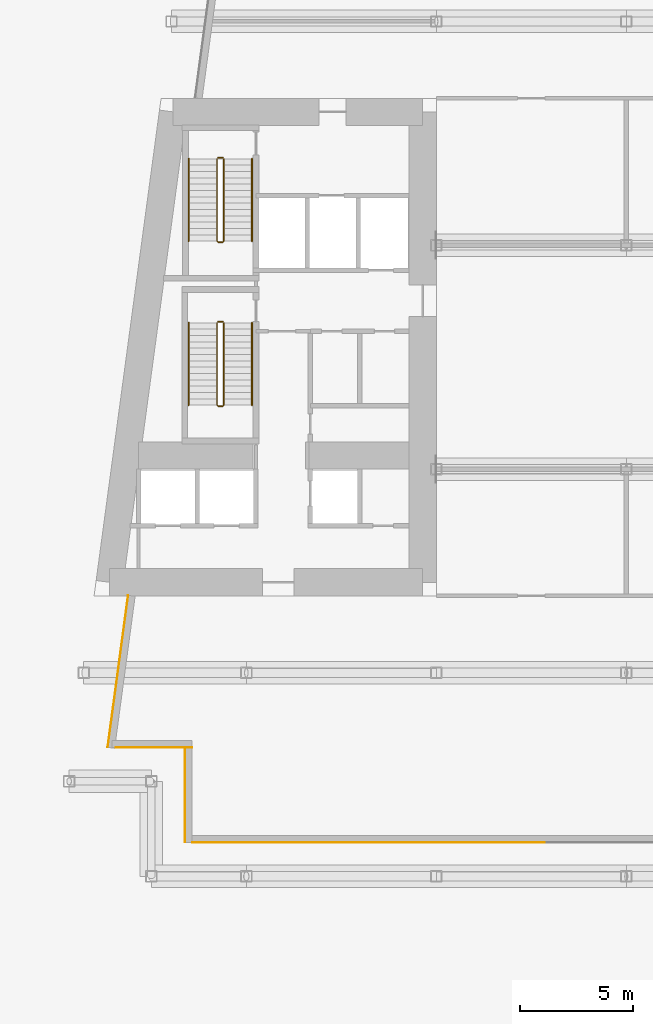
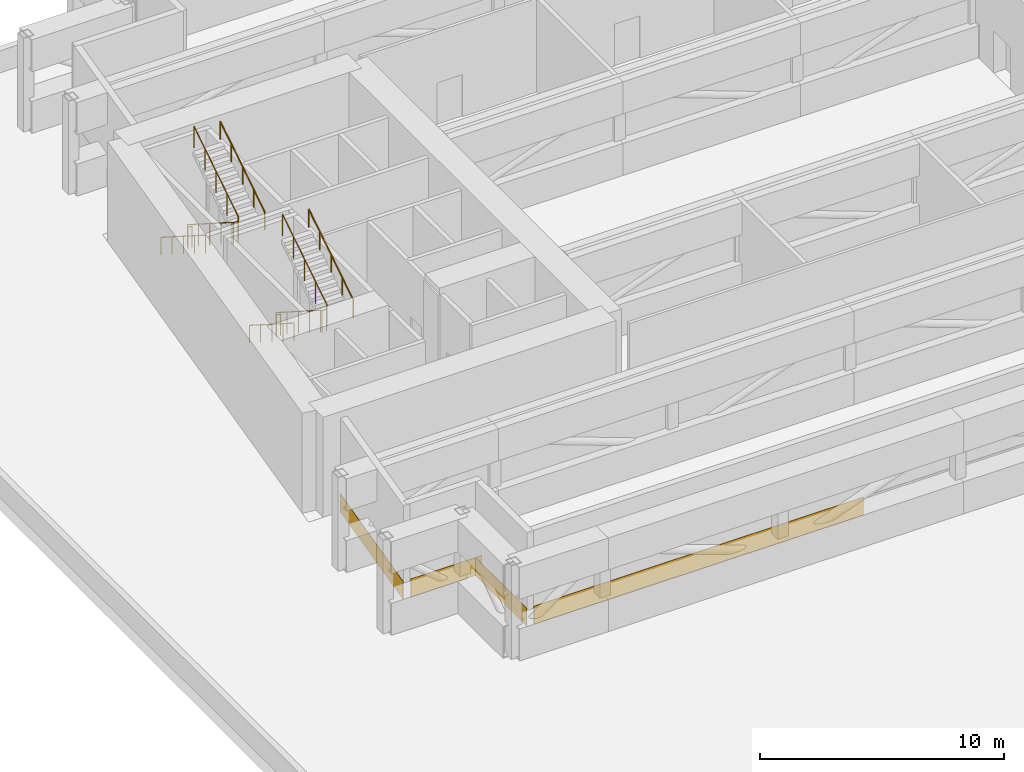
# One storey, part 22 of 26: 8 railings, 4 coverings.
"""IFC4 building model written with IfcOpenShell, lengths in metres."""

from ifc_helpers import new_model, si_unit, direction, frame, origin, origin_2d, place, context, subcontext, project, spatial, rectangle, circle, extrude, material, layer, layer_set, type_object, element, save


model = new_model("IFC4")

# Units and contexts
model_context = context("Model", 3, precision=1e-05, world=origin(), true_north=direction((0.0, 1.0)))
body_context = subcontext(model_context, "Body", "Model", "MODEL_VIEW")
ifc_project = project(units=[si_unit("LENGTHUNIT", "METRE"), si_unit("AREAUNIT", "SQUARE_METRE"), si_unit("VOLUMEUNIT", "CUBIC_METRE"), si_unit("PLANEANGLEUNIT", "RADIAN"), si_unit("MASSUNIT", "GRAM", prefix="KILO")], contexts=[model_context])

# Site, building, storey
site_placement = place(None, origin())
site = spatial("IfcSite", under=ifc_project, at=site_placement, CompositionType="ELEMENT")
building_placement = place(site_placement, origin())
building = spatial("IfcBuilding", under=site, at=building_placement, Name="Candeia Pilgrim Tower and Theatre", CompositionType="ELEMENT")
storey_placement = place(building_placement, frame((0.0, 0.0, 34.0)))
storey = spatial("IfcBuildingStorey", under=building, at=storey_placement, Name="L05", CompositionType="ELEMENT", Elevation=34.0)

# Coverings
ifc_material_1 = material(Name="Glazed ceramic tile deep red")
ifc_layer = layer(ifc_material_1, 0.02001953125)
ifc_layer_set = layer_set([ifc_layer], Name="Glazed ceramic tile deep red")
covering_type = type_object("IfcCoveringType", Name="Glazed ceramic tile deep red", PredefinedType="CLADDING", material=ifc_layer_set)
covering_1_placement = place(storey_placement, frame((97.81005859375, 99.489990234375, 0.0), z_axis=(0.0, 0.0, 1.0), x_axis=(1.0, 0.0, 0.0)))
element("IfcCovering", 1, at=covering_1_placement, inside=storey, type_object=covering_type, Name="Tile cladding deep red L05", PredefinedType="CLADDING", context=body_context, shape_type="SweptSolid", body=[
    extrude(rectangle(XDim=15.580078125, YDim=0.02001953125, at=origin_2d()), origin(), (0.0, 0.0, 1.0), 0.89990234375),
])
covering_2_placement = place(storey_placement, frame((86.72314453125, 107.061279296875, 0.0), z_axis=(0.0, 0.0, 1.0), x_axis=(-0.133412012145, -0.991060661622, 0.0)))
element("IfcCovering", 2, at=covering_2_placement, inside=storey, type_object=covering_type, Name="Tile cladding deep red L05", PredefinedType="CLADDING", context=body_context, shape_type="SweptSolid", body=[
    extrude(rectangle(XDim=6.780517578125, YDim=0.02001953125, at=origin_2d()), origin(), (0.0, 0.0, 1.0), 0.89990234375),
])
covering_3_placement = place(storey_placement, frame((88.311279296875, 103.68994140625, 0.0), z_axis=(0.0, 0.0, 1.0), x_axis=(1.0, 0.0, 0.0)))
element("IfcCovering", 3, at=covering_3_placement, inside=storey, type_object=covering_type, Name="Tile cladding deep red L05", PredefinedType="CLADDING", context=body_context, shape_type="SweptSolid", body=[
    extrude(rectangle(XDim=3.377685546875, YDim=0.02001953125, at=origin_2d()), origin(), (0.0, 0.0, 1.0), 0.89990234375),
])
covering_4_placement = place(storey_placement, frame((89.68994140625, 101.590087890625, 0.0), z_axis=(0.0, 0.0, 1.0), x_axis=(0.0, -1.0, 0.0)))
element("IfcCovering", 4, at=covering_4_placement, inside=storey, type_object=covering_type, Name="Tile cladding deep red L05", PredefinedType="CLADDING", context=body_context, shape_type="SweptSolid", body=[
    extrude(rectangle(XDim=4.179931640625, YDim=0.02001953125, at=origin_2d()), origin(), (0.0, 0.0, 1.0), 0.89990234375),
])

# Railings
ifc_material_2 = material(Name="Stainless steel balustrade", Category="steel")
railing_type_1 = type_object("IfcRailingType", Name="RL-GUARD-1100", PredefinedType="GUARDRAIL", material=ifc_material_2)
railing_1_placement = place(storey_placement, frame((91.10205078125, 122.47509765625, 0.178466796875)))
element("IfcRailing", 5, at=railing_1_placement, inside=storey, type_object=railing_type_1, Name="L05 ST1 stair guard 1", PredefinedType="GUARDRAIL", context=body_context, shape_type="SweptSolid", body=[
    extrude(circle(Radius=0.02392578125, at=origin_2d()), frame((0.0, 0.0, 1.076171875), z_axis=(0.0, -0.843127859045, 0.537713132908), x_axis=(1.0, 0.0, 0.0)), (0.0, 0.0, 1.0), 4.3173828125),
    extrude(circle(Radius=0.02392578125, at=origin_2d()), frame((0.0, -3.64013671875, 3.3974609375), z_axis=(0.707106781187, -0.707106781187, 0.0), x_axis=(0.707106781187, 0.707106781187, 0.0)), (0.0, 0.0, 1.0), 0.07080078125),
    extrude(circle(Radius=0.02392578125, at=origin_2d()), frame((0.050048828125, -3.690185546875, 3.3974609375), z_axis=(1.0, 0.0, 0.0), x_axis=(0.0, 1.0, 0.0)), (0.0, 0.0, 1.0), 0.199951171875),
    extrude(circle(Radius=0.02392578125, at=origin_2d()), frame((0.25, -3.690185546875, 3.3974609375), z_axis=(0.260684529273, 0.260684529273, 0.929562882432), x_axis=(-0.707106781187, 0.707106781187, 0.0)), (0.0, 0.0, 1.0), 0.19189453125),
    extrude(circle(Radius=0.02392578125, at=origin_2d()), frame((0.300048828125, -3.64013671875, 3.576171875), z_axis=(0.0, 0.843127859045, 0.537713132908), x_axis=(-1.0, 0.0, 0.0)), (0.0, 0.0, 1.0), 4.3173828125),
    extrude(circle(Radius=0.02099609375, at=origin_2d()), origin(), (0.0, 0.0, 1.0), 1.052001953125),
    extrude(circle(Radius=0.02099609375, at=origin_2d()), frame((0.0, -0.91015625, 0.580322265625)), (0.0, 0.0, 1.0), 1.052001953125),
    extrude(circle(Radius=0.02099609375, at=origin_2d()), frame((0.0, -1.820068359375, 1.16064453125)), (0.0, 0.0, 1.0), 1.052001953125),
    extrude(circle(Radius=0.02099609375, at=origin_2d()), frame((0.0, -2.72998046875, 1.7412109375)), (0.0, 0.0, 1.0), 1.052001953125),
    extrude(circle(Radius=0.02099609375, at=origin_2d()), frame((0.0, -3.64013671875, 2.321533203125)), (0.0, 0.0, 1.0), 1.052001953125),
    extrude(circle(Radius=0.02099609375, at=origin_2d()), frame((0.050048828125, -3.690185546875, 2.321533203125)), (0.0, 0.0, 1.0), 1.052001953125),
    extrude(circle(Radius=0.02099609375, at=origin_2d()), frame((0.25, -3.690185546875, 2.321533203125)), (0.0, 0.0, 1.0), 1.052001953125),
    extrude(circle(Radius=0.02099609375, at=origin_2d()), frame((0.300048828125, -3.64013671875, 2.5)), (0.0, 0.0, 1.0), 1.052001953125),
    extrude(circle(Radius=0.02099609375, at=origin_2d()), frame((0.300048828125, -2.72998046875, 3.080322265625)), (0.0, 0.0, 1.0), 1.052001953125),
    extrude(circle(Radius=0.02099609375, at=origin_2d()), frame((0.300048828125, -1.820068359375, 3.66064453125)), (0.0, 0.0, 1.0), 1.052001953125),
    extrude(circle(Radius=0.02099609375, at=origin_2d()), frame((0.300048828125, -0.91015625, 4.2412109375)), (0.0, 0.0, 1.0), 1.052001953125),
    extrude(circle(Radius=0.02099609375, at=origin_2d()), frame((0.300048828125, 0.0, 4.821533203125)), (0.0, 0.0, 1.0), 1.052001953125),
])
railing_2_placement = place(storey_placement, frame((91.152099609375, 122.52490234375, 0.0)))
element("IfcRailing", 6, at=railing_2_placement, inside=storey, type_object=railing_type_1, Name="L05 ST1 stair guard 2", PredefinedType="GUARDRAIL", context=body_context, shape_type="SweptSolid", body=[
    extrude(circle(Radius=0.02392578125, at=origin_2d()), frame((0.0, 0.0, 1.076171875), z_axis=(1.0, 0.0, 0.0), x_axis=(0.0, 1.0, 0.0)), (0.0, 0.0, 1.0), 0.199951171875),
    extrude(circle(Radius=0.02099609375, at=origin_2d()), origin(), (0.0, 0.0, 1.0), 1.052001953125),
    extrude(circle(Radius=0.02099609375, at=origin_2d()), frame((0.199951171875, 0.0, 0.0)), (0.0, 0.0, 1.0), 1.052001953125),
])
railing_3_placement = place(storey_placement, frame((91.10205078125, 129.72509765625, 0.178466796875)))
element("IfcRailing", 7, at=railing_3_placement, inside=storey, type_object=railing_type_1, Name="L05 ST2 stair guard 1", PredefinedType="GUARDRAIL", context=body_context, shape_type="SweptSolid", body=[
    extrude(circle(Radius=0.02392578125, at=origin_2d()), frame((0.0, 0.0, 1.076171875), z_axis=(0.0, -0.843127859045, 0.537713132908), x_axis=(1.0, 0.0, 0.0)), (0.0, 0.0, 1.0), 4.3173828125),
    extrude(circle(Radius=0.02392578125, at=origin_2d()), frame((0.0, -3.64013671875, 3.3974609375), z_axis=(0.707106781187, -0.707106781187, 0.0), x_axis=(0.707106781187, 0.707106781187, 0.0)), (0.0, 0.0, 1.0), 0.07080078125),
    extrude(circle(Radius=0.02392578125, at=origin_2d()), frame((0.050048828125, -3.690185546875, 3.3974609375), z_axis=(1.0, 0.0, 0.0), x_axis=(0.0, 1.0, 0.0)), (0.0, 0.0, 1.0), 0.199951171875),
    extrude(circle(Radius=0.02392578125, at=origin_2d()), frame((0.25, -3.690185546875, 3.3974609375), z_axis=(0.260684529273, 0.260684529273, 0.929562882432), x_axis=(-0.707106781187, 0.707106781187, 0.0)), (0.0, 0.0, 1.0), 0.19189453125),
    extrude(circle(Radius=0.02392578125, at=origin_2d()), frame((0.300048828125, -3.64013671875, 3.576171875), z_axis=(0.0, 0.843127859045, 0.537713132908), x_axis=(-1.0, 0.0, 0.0)), (0.0, 0.0, 1.0), 4.3173828125),
    extrude(circle(Radius=0.02099609375, at=origin_2d()), origin(), (0.0, 0.0, 1.0), 1.052001953125),
    extrude(circle(Radius=0.02099609375, at=origin_2d()), frame((0.0, -0.91015625, 0.580322265625)), (0.0, 0.0, 1.0), 1.052001953125),
    extrude(circle(Radius=0.02099609375, at=origin_2d()), frame((0.0, -1.820068359375, 1.16064453125)), (0.0, 0.0, 1.0), 1.052001953125),
    extrude(circle(Radius=0.02099609375, at=origin_2d()), frame((0.0, -2.72998046875, 1.7412109375)), (0.0, 0.0, 1.0), 1.052001953125),
    extrude(circle(Radius=0.02099609375, at=origin_2d()), frame((0.0, -3.64013671875, 2.321533203125)), (0.0, 0.0, 1.0), 1.052001953125),
    extrude(circle(Radius=0.02099609375, at=origin_2d()), frame((0.050048828125, -3.690185546875, 2.321533203125)), (0.0, 0.0, 1.0), 1.052001953125),
    extrude(circle(Radius=0.02099609375, at=origin_2d()), frame((0.25, -3.690185546875, 2.321533203125)), (0.0, 0.0, 1.0), 1.052001953125),
    extrude(circle(Radius=0.02099609375, at=origin_2d()), frame((0.300048828125, -3.64013671875, 2.5)), (0.0, 0.0, 1.0), 1.052001953125),
    extrude(circle(Radius=0.02099609375, at=origin_2d()), frame((0.300048828125, -2.72998046875, 3.080322265625)), (0.0, 0.0, 1.0), 1.052001953125),
    extrude(circle(Radius=0.02099609375, at=origin_2d()), frame((0.300048828125, -1.820068359375, 3.66064453125)), (0.0, 0.0, 1.0), 1.052001953125),
    extrude(circle(Radius=0.02099609375, at=origin_2d()), frame((0.300048828125, -0.91015625, 4.2412109375)), (0.0, 0.0, 1.0), 1.052001953125),
    extrude(circle(Radius=0.02099609375, at=origin_2d()), frame((0.300048828125, 0.0, 4.821533203125)), (0.0, 0.0, 1.0), 1.052001953125),
])
railing_4_placement = place(storey_placement, frame((91.152099609375, 129.77490234375, 0.0)))
element("IfcRailing", 8, at=railing_4_placement, inside=storey, type_object=railing_type_1, Name="L05 ST2 stair guard 2", PredefinedType="GUARDRAIL", context=body_context, shape_type="SweptSolid", body=[
    extrude(circle(Radius=0.02392578125, at=origin_2d()), frame((0.0, 0.0, 1.076171875), z_axis=(1.0, 0.0, 0.0), x_axis=(0.0, 1.0, 0.0)), (0.0, 0.0, 1.0), 0.199951171875),
    extrude(circle(Radius=0.02099609375, at=origin_2d()), origin(), (0.0, 0.0, 1.0), 1.052001953125),
    extrude(circle(Radius=0.02099609375, at=origin_2d()), frame((0.199951171875, 0.0, 0.0)), (0.0, 0.0, 1.0), 1.052001953125),
])
ifc_material_3 = material(Name="Stainless steel handrail", Category="steel")
railing_type_2 = type_object("IfcRailingType", Name="RL-HANDRAIL-900", PredefinedType="HANDRAIL", material=ifc_material_3)
railing_5_placement = place(storey_placement, frame((89.85205078125, 122.47509765625, 0.178466796875)))
element("IfcRailing", 9, at=railing_5_placement, inside=storey, type_object=railing_type_2, Name="L05 ST1 stair handrail 1", PredefinedType="HANDRAIL", context=body_context, shape_type="SweptSolid", body=[
    extrude(circle(Radius=0.02392578125, at=origin_2d()), frame((0.0, 0.0, 0.8759765625), z_axis=(0.0, -0.843127859045, 0.537713132908), x_axis=(1.0, 0.0, 0.0)), (0.0, 0.0, 1.0), 4.3173828125),
    extrude(circle(Radius=0.02099609375, at=origin_2d()), origin(), (0.0, 0.0, 1.0), 0.851806640625),
    extrude(circle(Radius=0.02099609375, at=origin_2d()), frame((0.0, -0.91015625, 0.580322265625)), (0.0, 0.0, 1.0), 0.851806640625),
    extrude(circle(Radius=0.02099609375, at=origin_2d()), frame((0.0, -1.820068359375, 1.16064453125)), (0.0, 0.0, 1.0), 0.851806640625),
    extrude(circle(Radius=0.02099609375, at=origin_2d()), frame((0.0, -2.72998046875, 1.7412109375)), (0.0, 0.0, 1.0), 0.851806640625),
    extrude(circle(Radius=0.02099609375, at=origin_2d()), frame((0.0, -3.64013671875, 2.321533203125)), (0.0, 0.0, 1.0), 0.851806640625),
])
railing_6_placement = place(storey_placement, frame((92.652099609375, 118.8349609375, 2.678466796875)))
element("IfcRailing", 10, at=railing_6_placement, inside=storey, type_object=railing_type_2, Name="L05 ST1 stair handrail 2", PredefinedType="HANDRAIL", context=body_context, shape_type="SweptSolid", body=[
    extrude(circle(Radius=0.02392578125, at=origin_2d()), frame((0.0, 0.0, 0.8759765625), z_axis=(0.0, 0.843127859045, 0.537713132908), x_axis=(-1.0, 0.0, 0.0)), (0.0, 0.0, 1.0), 4.3173828125),
    extrude(circle(Radius=0.02099609375, at=origin_2d()), origin(), (0.0, 0.0, 1.0), 0.851806640625),
    extrude(circle(Radius=0.02099609375, at=origin_2d()), frame((0.0, 0.91015625, 0.580322265625)), (0.0, 0.0, 1.0), 0.851806640625),
    extrude(circle(Radius=0.02099609375, at=origin_2d()), frame((0.0, 1.820068359375, 1.16064453125)), (0.0, 0.0, 1.0), 0.851806640625),
    extrude(circle(Radius=0.02099609375, at=origin_2d()), frame((0.0, 2.72998046875, 1.7412109375)), (0.0, 0.0, 1.0), 0.851806640625),
    extrude(circle(Radius=0.02099609375, at=origin_2d()), frame((0.0, 3.64013671875, 2.321533203125)), (0.0, 0.0, 1.0), 0.851806640625),
])
railing_7_placement = place(storey_placement, frame((89.85205078125, 129.72509765625, 0.178466796875)))
element("IfcRailing", 11, at=railing_7_placement, inside=storey, type_object=railing_type_2, Name="L05 ST2 stair handrail 1", PredefinedType="HANDRAIL", context=body_context, shape_type="SweptSolid", body=[
    extrude(circle(Radius=0.02392578125, at=origin_2d()), frame((0.0, 0.0, 0.8759765625), z_axis=(0.0, -0.843127859045, 0.537713132908), x_axis=(1.0, 0.0, 0.0)), (0.0, 0.0, 1.0), 4.3173828125),
    extrude(circle(Radius=0.02099609375, at=origin_2d()), origin(), (0.0, 0.0, 1.0), 0.851806640625),
    extrude(circle(Radius=0.02099609375, at=origin_2d()), frame((0.0, -0.91015625, 0.580322265625)), (0.0, 0.0, 1.0), 0.851806640625),
    extrude(circle(Radius=0.02099609375, at=origin_2d()), frame((0.0, -1.820068359375, 1.16064453125)), (0.0, 0.0, 1.0), 0.851806640625),
    extrude(circle(Radius=0.02099609375, at=origin_2d()), frame((0.0, -2.72998046875, 1.7412109375)), (0.0, 0.0, 1.0), 0.851806640625),
    extrude(circle(Radius=0.02099609375, at=origin_2d()), frame((0.0, -3.64013671875, 2.321533203125)), (0.0, 0.0, 1.0), 0.851806640625),
])
railing_8_placement = place(storey_placement, frame((92.652099609375, 126.0849609375, 2.678466796875)))
element("IfcRailing", 12, at=railing_8_placement, inside=storey, type_object=railing_type_2, Name="L05 ST2 stair handrail 2", PredefinedType="HANDRAIL", context=body_context, shape_type="SweptSolid", body=[
    extrude(circle(Radius=0.02392578125, at=origin_2d()), frame((0.0, 0.0, 0.8759765625), z_axis=(0.0, 0.843127859045, 0.537713132908), x_axis=(-1.0, 0.0, 0.0)), (0.0, 0.0, 1.0), 4.3173828125),
    extrude(circle(Radius=0.02099609375, at=origin_2d()), origin(), (0.0, 0.0, 1.0), 0.851806640625),
    extrude(circle(Radius=0.02099609375, at=origin_2d()), frame((0.0, 0.91015625, 0.580322265625)), (0.0, 0.0, 1.0), 0.851806640625),
    extrude(circle(Radius=0.02099609375, at=origin_2d()), frame((0.0, 1.820068359375, 1.16064453125)), (0.0, 0.0, 1.0), 0.851806640625),
    extrude(circle(Radius=0.02099609375, at=origin_2d()), frame((0.0, 2.72998046875, 1.7412109375)), (0.0, 0.0, 1.0), 0.851806640625),
    extrude(circle(Radius=0.02099609375, at=origin_2d()), frame((0.0, 3.64013671875, 2.321533203125)), (0.0, 0.0, 1.0), 0.851806640625),
])

save(model, "model.ifc")
